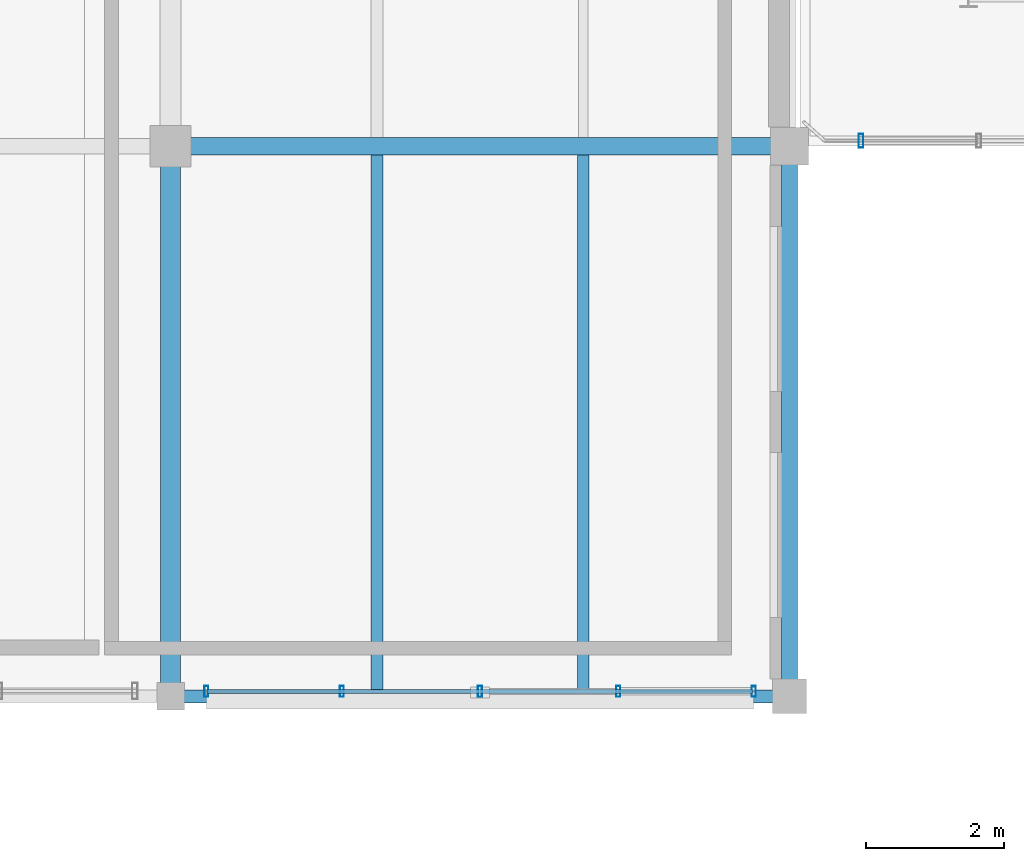
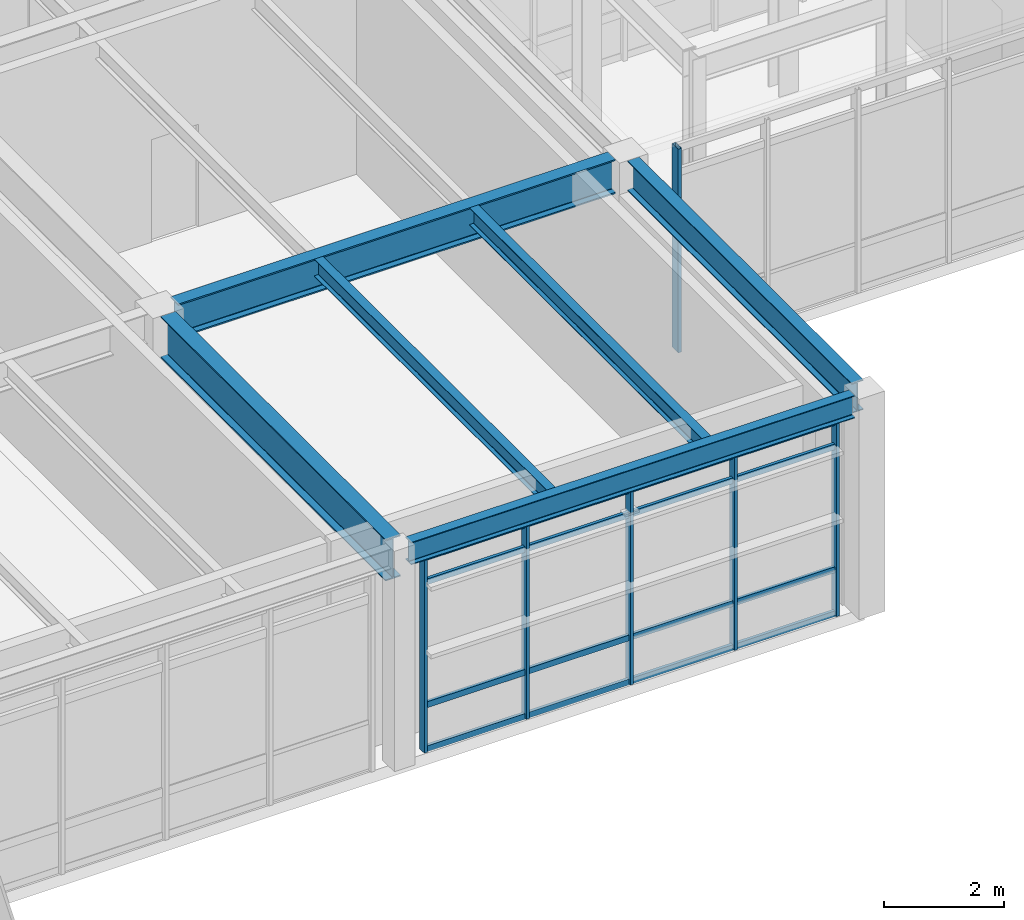
# One storey, part 79 of 200: 10 members, 6 beams, 2 elements without a shape of their own.
"""IFC4 building model written with IfcOpenShell, lengths in metres."""

import ifcopenshell
import ifcopenshell.guid

model = None  # the IFC model being written
_history = None  # IfcOwnerHistory: only IFC2X3 demands one
_inside = {}  # id of a spatial element -> (the spatial element, [elements in it])
_under = {}  # id of a project, library or spatial element -> (it, [spatial elements below it])
_declared = {}  # id of a project -> (the project, [libraries it declares])
_typed = {}  # id of a type object -> (the type object, [elements of that type])
_made_of = {}  # id of a material, layer set ... -> (it, [elements and type objects made of it])


def new_model(schema):
    """Start an empty IFC model of exactly this schema.

    Asked for "IFC4X3", IfcOpenShell would pick the latest addendum, in which some entities
    have other attributes; the version numbers below select the first issue.
    IFC2X3 requires an IfcOwnerHistory on every rooted entity: one is made here for all.
    """
    global model, _history
    if schema == "IFC4X3":
        model = ifcopenshell.file(schema_version=(4, 3, 0, 0))
    else:
        model = ifcopenshell.file(schema=schema)
    _inside.clear()
    _under.clear()
    _declared.clear()
    _typed.clear()
    _made_of.clear()
    _history = None
    if model.schema == "IFC2X3":
        org = make("IfcOrganization", Name="unknown")
        user = make(
            "IfcPersonAndOrganization",
            ThePerson=make("IfcPerson", FamilyName="unknown"),
            TheOrganization=org,
        )
        app = make(
            "IfcApplication",
            ApplicationDeveloper=org,
            Version="unknown",
            ApplicationFullName="unknown",
            ApplicationIdentifier="unknown",
        )
        _history = make(
            "IfcOwnerHistory",
            OwningUser=user,
            OwningApplication=app,
            ChangeAction="ADDED",
            CreationDate=0,
        )
    return model


def make(cls, **values):
    """One entity of the class cls with the attributes given. An attribute that is None is left unset."""
    return model.create_entity(
        cls, **{name: value for name, value in values.items() if value is not None}
    )


def rooted(cls, **values):
    """An entity with a GlobalId (a new one), such as an element, a storey or a relation."""
    return make(cls, GlobalId=ifcopenshell.guid.new(), OwnerHistory=_history, **values)


def si_unit(unit_type, name, prefix=None):
    """IfcSIUnit, for example si_unit("LENGTHUNIT", "METRE", prefix="MILLI")."""
    return make("IfcSIUnit", UnitType=unit_type, Prefix=prefix, Name=name)


def assignment(units):
    """IfcUnitAssignment: the units of a project."""
    return None if units is None else make("IfcUnitAssignment", Units=units)


def point(xyz):
    """IfcCartesianPoint."""
    return None if xyz is None else make("IfcCartesianPoint", Coordinates=xyz)


def direction(xyz):
    """IfcDirection."""
    return None if xyz is None else make("IfcDirection", DirectionRatios=xyz)


def frame(location, z_axis=None, x_axis=None):
    """IfcAxis2Placement3D, a coordinate frame: its origin and axes. An axis left out is left unset."""
    return make(
        "IfcAxis2Placement3D",
        Location=point(location),
        Axis=direction(z_axis),
        RefDirection=direction(x_axis),
    )


def frame_2d(location, x_axis=None):
    """IfcAxis2Placement2D, a coordinate frame in the plane: its origin and x axis."""
    return make(
        "IfcAxis2Placement2D", Location=point(location), RefDirection=direction(x_axis)
    )


def origin():
    """The frame at (0, 0, 0) with its axes left unset."""
    return frame((0.0, 0.0, 0.0))


def origin_2d():
    """The frame at (0, 0) in the plane with its x axis left unset."""
    return frame_2d((0.0, 0.0))


def place(relative_to, where):
    """IfcLocalPlacement: puts the frame where relative to a parent placement (None: the world)."""
    return make(
        "IfcLocalPlacement", PlacementRelTo=relative_to, RelativePlacement=where
    )


def context(
    kind, dimensions, precision=None, world=None, true_north=None, identifier=None
):
    """IfcGeometricRepresentationContext, for example the 3D "Model" context."""
    return make(
        "IfcGeometricRepresentationContext",
        ContextIdentifier=identifier,
        ContextType=kind,
        CoordinateSpaceDimension=dimensions,
        Precision=precision,
        WorldCoordinateSystem=world,
        TrueNorth=true_north,
    )


def subcontext(parent, identifier, kind, view, scale=None):
    """IfcGeometricRepresentationSubContext, for example "Body" below "Model"."""
    return make(
        "IfcGeometricRepresentationSubContext",
        ContextIdentifier=identifier,
        ContextType=kind,
        ParentContext=parent,
        TargetScale=scale,
        TargetView=view,
    )


def project(units=None, contexts=None):
    """IfcProject with its units and contexts."""
    return rooted(
        "IfcProject",
        Name="project",
        RepresentationContexts=contexts,
        UnitsInContext=assignment(units),
    )


def spatial(cls, under=None, at=None, **own):
    """A site, building, storey or space (cls), placed at a placement, below another one or the project."""
    s = rooted(cls, ObjectPlacement=at, **own)
    if under is not None:
        _under.setdefault(under.id(), (under, []))[1].append(s)
    return s


def profile(cls, at=None, kind="AREA", **sizes):
    """A parametric profile (cls). Its sizes go by their IFC names, for example OverallWidth=200.0."""
    return make(cls, ProfileType=kind, Position=at, **sizes)


def hollow_rectangle(**sizes):
    """IfcRectangleHollowProfileDef."""
    return profile("IfcRectangleHollowProfileDef", **sizes)


def i_section(**sizes):
    """IfcIShapeProfileDef."""
    return profile("IfcIShapeProfileDef", **sizes)


def extrude(swept, where, along, depth):
    """IfcExtrudedAreaSolid: the profile swept, set in the frame where, extruded along a direction by depth."""
    return make(
        "IfcExtrudedAreaSolid",
        SweptArea=swept,
        Position=where,
        ExtrudedDirection=direction(along),
        Depth=depth,
    )


def shape(context_of_items, identifier, shape_type, items):
    """IfcShapeRepresentation: the items that make up one representation, for example the "Body"."""
    return make(
        "IfcShapeRepresentation",
        ContextOfItems=context_of_items,
        RepresentationIdentifier=identifier,
        RepresentationType=shape_type,
        Items=items,
    )


def material(Name=None, Category=None):
    """IfcMaterial."""
    return make("IfcMaterial", Name=Name, Category=Category)


def material_profile(
    of_material, cross_section, Name=None, Category=None, Priority=None
):
    """IfcMaterialProfile: a cross section and its material."""
    return make(
        "IfcMaterialProfile",
        Name=Name,
        Material=of_material,
        Profile=cross_section,
        Priority=Priority,
        Category=Category,
    )


def profile_set(profiles, Name=None, composite=None):
    """IfcMaterialProfileSet."""
    return make(
        "IfcMaterialProfileSet",
        Name=Name,
        MaterialProfiles=profiles,
        CompositeProfile=composite,
    )


def made_of(thing, what):
    """Note that an element or type object is made of a material, layer set ...; save() writes the relation."""
    if what is not None:
        _made_of.setdefault(what.id(), (what, []))[1].append(thing)
    return thing


def type_object(cls, material=None, **own):
    """A type object (cls), such as IfcWallType, which elements share."""
    return made_of(rooted(cls, **own), material)


def element(
    cls,
    number,
    at=None,
    inside=None,
    cuts=None,
    type_object=None,
    material=None,
    context=None,
    identifier="Body",
    shape_type=None,
    held_by="IfcProductDefinitionShape",
    body=None,
    shapes=None,
    **own,
):
    """One element of the class cls, such as IfcWall. Its Tag is "e" and its number.

    at: its placement. inside: the storey or other place that contains it. cuts: it is an
    opening in that element (IfcRelVoidsElement). A single representation is given by context,
    identifier, shape_type and body (its items); several are given by shapes. held_by: the class
    of the entity that holds the representations. save() writes the other relations.
    """
    e = rooted(cls, Tag="e%d" % number, ObjectPlacement=at, **own)
    if body is not None:
        shapes = [shape(context, identifier, shape_type, body)]
    if shapes is not None:
        e.Representation = make(held_by, Representations=shapes)
    if inside is not None:
        _inside.setdefault(inside.id(), (inside, []))[1].append(e)
    if cuts is not None:
        rooted(
            "IfcRelVoidsElement", RelatingBuildingElement=cuts, RelatedOpeningElement=e
        )
    if type_object is not None:
        _typed.setdefault(type_object.id(), (type_object, []))[1].append(e)
    return made_of(e, material)


def aggregate(whole, parts):
    """IfcRelAggregates: a whole, such as a stair, and the parts it consists of."""
    return rooted("IfcRelAggregates", RelatingObject=whole, RelatedObjects=parts)


def save(model, path):
    """Write the relations noted so far, then the file.

    IfcRelAggregates (storeys below a building ...), IfcRelContainedInSpatialStructure (elements
    in a storey), IfcRelDefinesByType, IfcRelAssociatesMaterial and IfcRelDeclares: one each for
    every whole, place, type object, material and project.
    """
    for whole, parts in _under.values():
        aggregate(whole, parts)
    for where, things in _inside.values():
        rooted(
            "IfcRelContainedInSpatialStructure",
            RelatedElements=things,
            RelatingStructure=where,
        )
    for kind, things in _typed.values():
        rooted("IfcRelDefinesByType", RelatedObjects=things, RelatingType=kind)
    for what, things in _made_of.values():
        rooted("IfcRelAssociatesMaterial", RelatedObjects=things, RelatingMaterial=what)
    for by, libraries in _declared.values():
        rooted("IfcRelDeclares", RelatingContext=by, RelatedDefinitions=libraries)
    model.write(path)


model = new_model("IFC4")

# Units and contexts
model_context = context("Model", 3, precision=1e-05, world=origin(), true_north=direction((0.0, 1.0)))
body_context = subcontext(model_context, "Body", "Model", "MODEL_VIEW")
ifc_project = project(units=[si_unit("LENGTHUNIT", "METRE"), si_unit("AREAUNIT", "SQUARE_METRE"), si_unit("VOLUMEUNIT", "CUBIC_METRE"), si_unit("PLANEANGLEUNIT", "RADIAN"), si_unit("MASSUNIT", "GRAM", prefix="KILO"), si_unit("THERMODYNAMICTEMPERATUREUNIT", "KELVIN"), si_unit("POWERUNIT", "WATT")], contexts=[model_context])

# Site, building, storey
site_placement = place(None, origin())
site = spatial("IfcSite", under=ifc_project, at=site_placement, CompositionType="ELEMENT")
building_placement = place(site_placement, origin())
building = spatial("IfcBuilding", under=site, at=building_placement, Name="Tepalcoro Natatorium and Aquatics Centre", CompositionType="ELEMENT")
storey_placement = place(building_placement, frame((0.0, 0.0, 5.39990234375)))
storey = spatial("IfcBuildingStorey", under=building, at=storey_placement, Name="L01", CompositionType="ELEMENT", Elevation=5.39990234375)

# Beams
ifc_material_1 = material(Name="Steel ASTM A992 Grade 50 (Fy 345 MPa)", Category="steel")
ifc_material_profile_1 = material_profile(ifc_material_1, i_section(OverallWidth=0.25390625, OverallDepth=0.700927734375, WebThickness=0.014892578125, FlangeThickness=0.028076171875, FilletRadius=0.013916015625, at=origin_2d()), Name="W27X129")
ifc_profile_set_1 = profile_set([ifc_material_profile_1], Name="Steel ASTM A992 Grade 50 (Fy 345 MPa)")
beam_type_1 = type_object("IfcBeamType", Name="BM_W27x129", PredefinedType="BEAM", material=ifc_profile_set_1)
beam_1_placement = place(storey_placement, frame((80.284912109375, 94.0, 4.134521484375), z_axis=(1.0, 0.0, 0.0), x_axis=(0.0, 1.0, 0.0)))
element("IfcBeam", 1, at=beam_1_placement, inside=storey, type_object=beam_type_1, Name="V4 L01 Grid Girder X", PredefinedType="BEAM", context=body_context, shape_type="SweptSolid", body=[
    extrude(i_section(OverallWidth=0.25390625, OverallDepth=0.700927734375, WebThickness=0.014892578125, FlangeThickness=0.028076171875, FilletRadius=0.013916015625, at=origin_2d()), origin(), (0.0, 0.0, 1.0), 8.455078125),
])
ifc_material_profile_2 = material_profile(ifc_material_1, i_section(OverallWidth=0.2919921875, OverallDepth=0.845947265625, WebThickness=0.014892578125, FlangeThickness=0.02392578125, FilletRadius=0.013916015625, at=origin_2d()), Name="W33X141")
ifc_profile_set_2 = profile_set([ifc_material_profile_2], Name="Steel ASTM A992 Grade 50 (Fy 345 MPa)")
beam_type_2 = type_object("IfcBeamType", Name="BM_W33x141", PredefinedType="BEAM", material=ifc_profile_set_2)
beam_2_placement = place(storey_placement, frame((80.0, 86.18505859375, 4.06201171875), z_axis=(0.0, 1.0, 0.0), x_axis=(-1.0, 0.0, 0.0)))
element("IfcBeam", 2, at=beam_2_placement, inside=storey, type_object=beam_type_2, Name="V4 L01 Grid Girder Y", PredefinedType="BEAM", context=body_context, shape_type="SweptSolid", body=[
    extrude(i_section(OverallWidth=0.2919921875, OverallDepth=0.845947265625, WebThickness=0.014892578125, FlangeThickness=0.02392578125, FilletRadius=0.013916015625, at=origin_2d()), origin(), (0.0, 0.0, 1.0), 7.530029296875),
])

# Curtain wall, members
ifc_material_2 = material(Name="Bronze-Anodised Extruded Aluminium Alloy EN AW-6063 T6", Category="aluminium")
curtain_wall_type_1 = type_object("IfcCurtainWallType", Name="CW_LEAN_T2_EW", PredefinedType="USERDEFINED", material=ifc_material_2)
curtain_wall_1_placement = place(storey_placement, origin())
curtain_wall_1 = element("IfcCurtainWall", 3, at=curtain_wall_1_placement, inside=storey, type_object=curtain_wall_type_1, Name="V4 L01 S Unitised Curtain Wall Bay 9", ObjectType="FACETED SOLAR GLAZING", PredefinedType="USERDEFINED")
ifc_material_profile_3 = material_profile(ifc_material_2, hollow_rectangle(XDim=0.06005859375, YDim=0.159912109375, WallThickness=0.00390625, at=origin_2d()), Name="AL60X160X4")
ifc_profile_set_3 = profile_set([ifc_material_profile_3], Name="Bronze-Anodised Extruded Aluminium Alloy EN AW-6063 T6")
member_type_1 = type_object("IfcMemberType", Name="CW_MUL_60x160", PredefinedType="MULLION", material=ifc_profile_set_3)
member_1_placement = place(storey_placement, frame((80.52001953125, 86.0712890625, 0.02001953125), z_axis=(0.0, 0.0, 1.0), x_axis=(1.0, 0.0, 0.0)))
member_1 = element("IfcMember", 4, at=member_1_placement, type_object=member_type_1, Name="CW_LEAN_T2_EW Curtain Wall Mullion", PredefinedType="MULLION", context=body_context, shape_type="SweptSolid", body=[
    extrude(hollow_rectangle(XDim=0.06005859375, YDim=0.159912109375, WallThickness=0.00390625, at=origin_2d()), origin(), (0.0, 0.0, 1.0), 3.969970703125),
])
member_2_placement = place(storey_placement, frame((82.489990234375, 86.0712890625, 0.02001953125), z_axis=(0.0, 0.0, 1.0), x_axis=(1.0, 0.0, 0.0)))
member_2 = element("IfcMember", 5, at=member_2_placement, type_object=member_type_1, Name="CW_LEAN_T2_EW Curtain Wall Mullion", PredefinedType="MULLION", context=body_context, shape_type="SweptSolid", body=[
    extrude(hollow_rectangle(XDim=0.06005859375, YDim=0.159912109375, WallThickness=0.00390625, at=origin_2d()), origin(), (0.0, 0.0, 1.0), 3.969970703125),
])
member_3_placement = place(storey_placement, frame((84.5, 86.0712890625, 0.02001953125), z_axis=(0.0, 0.0, 1.0), x_axis=(1.0, 0.0, 0.0)))
member_3 = element("IfcMember", 6, at=member_3_placement, type_object=member_type_1, Name="CW_LEAN_T2_EW Curtain Wall Mullion", PredefinedType="MULLION", context=body_context, shape_type="SweptSolid", body=[
    extrude(hollow_rectangle(XDim=0.06005859375, YDim=0.159912109375, WallThickness=0.00390625, at=origin_2d()), origin(), (0.0, 0.0, 1.0), 3.969970703125),
])
member_4_placement = place(storey_placement, frame((86.510009765625, 86.0712890625, 0.02001953125), z_axis=(0.0, 0.0, 1.0), x_axis=(1.0, 0.0, 0.0)))
member_4 = element("IfcMember", 7, at=member_4_placement, type_object=member_type_1, Name="CW_LEAN_T2_EW Curtain Wall Mullion", PredefinedType="MULLION", context=body_context, shape_type="SweptSolid", body=[
    extrude(hollow_rectangle(XDim=0.06005859375, YDim=0.159912109375, WallThickness=0.00390625, at=origin_2d()), origin(), (0.0, 0.0, 1.0), 3.969970703125),
])
member_5_placement = place(storey_placement, frame((88.47998046875, 86.0712890625, 0.02001953125), z_axis=(0.0, 0.0, 1.0), x_axis=(1.0, 0.0, 0.0)))
member_5 = element("IfcMember", 8, at=member_5_placement, type_object=member_type_1, Name="CW_LEAN_T2_EW Curtain Wall Mullion", PredefinedType="MULLION", context=body_context, shape_type="SweptSolid", body=[
    extrude(hollow_rectangle(XDim=0.06005859375, YDim=0.159912109375, WallThickness=0.00390625, at=origin_2d()), origin(), (0.0, 0.0, 1.0), 3.969970703125),
])

# Curtain wall, member
curtain_wall_type_2 = type_object("IfcCurtainWallType", Name="CW_LINK_150", PredefinedType="USERDEFINED", material=ifc_material_2)
curtain_wall_2_placement = place(storey_placement, origin())
curtain_wall_2 = element("IfcCurtainWall", 9, at=curtain_wall_2_placement, inside=storey, type_object=curtain_wall_type_2, Name="North Spine Seismic Link Glazed Wall S L01", ObjectType="UNITISED STOREFRONT", PredefinedType="USERDEFINED")
ifc_material_profile_4 = material_profile(ifc_material_2, hollow_rectangle(XDim=0.070068359375, YDim=0.199951171875, WallThickness=0.0048828125, at=origin_2d()), Name="AL70X200X5")
ifc_profile_set_4 = profile_set([ifc_material_profile_4], Name="Bronze-Anodised Extruded Aluminium Alloy EN AW-6063 T6")
member_type_2 = type_object("IfcMemberType", Name="CW_MUL_70x200", PredefinedType="MULLION", material=ifc_profile_set_4)
member_6_placement = place(storey_placement, frame((90.0400390625, 94.080078125, 0.02001953125), z_axis=(0.0, 0.0, 1.0), x_axis=(1.0, 0.0, 0.0)))
member_6 = element("IfcMember", 10, at=member_6_placement, type_object=member_type_2, Name="CW_LINK_150 Curtain Wall Mullion", PredefinedType="MULLION", context=body_context, shape_type="SweptSolid", body=[
    extrude(hollow_rectangle(XDim=0.070068359375, YDim=0.199951171875, WallThickness=0.0048828125, at=origin_2d()), origin(), (0.0, 0.0, 1.0), 4.16015625),
])
aggregate(curtain_wall_2, [member_6])

# Member
ifc_material_profile_5 = material_profile(ifc_material_2, hollow_rectangle(XDim=0.06005859375, YDim=0.1201171875, WallThickness=0.00390625, at=origin_2d()), Name="AL60X120X4")
ifc_profile_set_5 = profile_set([ifc_material_profile_5], Name="Bronze-Anodised Extruded Aluminium Alloy EN AW-6063 T6")
member_type_3 = type_object("IfcMemberType", Name="CW_TRN_60x120", PredefinedType="USERDEFINED", material=ifc_profile_set_5)
member_7_placement = place(storey_placement, frame((80.530029296875, 86.0712890625, 0.050048828125), z_axis=(1.0, 0.0, 0.0), x_axis=(0.0, 1.0, 0.0)))
member_7 = element("IfcMember", 11, at=member_7_placement, type_object=member_type_3, Name="CW_LEAN_T2_EW Curtain Wall Transom", ObjectType="TRANSOM", PredefinedType="USERDEFINED", context=body_context, shape_type="SweptSolid", body=[
    extrude(hollow_rectangle(XDim=0.06005859375, YDim=0.1201171875, WallThickness=0.00390625, at=origin_2d()), origin(), (0.0, 0.0, 1.0), 7.93994140625),
])

member_8_placement = place(storey_placement, frame((80.530029296875, 86.0712890625, 0.9501953125), z_axis=(1.0, 0.0, 0.0), x_axis=(0.0, 1.0, 0.0)))
member_8 = element("IfcMember", 12, at=member_8_placement, type_object=member_type_3, Name="CW_LEAN_T2_EW Curtain Wall Transom", ObjectType="TRANSOM", PredefinedType="USERDEFINED", context=body_context, shape_type="SweptSolid", body=[
    extrude(hollow_rectangle(XDim=0.06005859375, YDim=0.1201171875, WallThickness=0.00390625, at=origin_2d()), origin(), (0.0, 0.0, 1.0), 7.93994140625),
])

member_9_placement = place(storey_placement, frame((80.530029296875, 86.0712890625, 3.460205078125), z_axis=(1.0, 0.0, 0.0), x_axis=(0.0, 1.0, 0.0)))
member_9 = element("IfcMember", 13, at=member_9_placement, type_object=member_type_3, Name="CW_LEAN_T2_EW Curtain Wall Transom", ObjectType="TRANSOM", PredefinedType="USERDEFINED", context=body_context, shape_type="SweptSolid", body=[
    extrude(hollow_rectangle(XDim=0.06005859375, YDim=0.1201171875, WallThickness=0.00390625, at=origin_2d()), origin(), (0.0, 0.0, 1.0), 7.93994140625),
])

member_10_placement = place(storey_placement, frame((80.530029296875, 86.0712890625, 3.960205078125), z_axis=(1.0, 0.0, 0.0), x_axis=(0.0, 1.0, 0.0)))
member_10 = element("IfcMember", 14, at=member_10_placement, type_object=member_type_3, Name="CW_LEAN_T2_EW Curtain Wall Transom", ObjectType="TRANSOM", PredefinedType="USERDEFINED", context=body_context, shape_type="SweptSolid", body=[
    extrude(hollow_rectangle(XDim=0.06005859375, YDim=0.1201171875, WallThickness=0.00390625, at=origin_2d()), origin(), (0.0, 0.0, 1.0), 7.93994140625),
])

aggregate(curtain_wall_1, [member_1, member_2, member_3, member_4, member_5, member_7, member_8, member_9, member_10])

# Beams
ifc_material_profile_6 = material_profile(ifc_material_1, i_section(OverallWidth=0.1708984375, OverallDepth=0.35107421875, WebThickness=0.007080078125, FlangeThickness=0.010009765625, FilletRadius=0.013916015625, at=origin_2d()), Name="W14X30")
ifc_profile_set_6 = profile_set([ifc_material_profile_6], Name="Steel ASTM A992 Grade 50 (Fy 345 MPa)")
beam_type_3 = type_object("IfcBeamType", Name="JS_W14x30", PredefinedType="JOIST", material=ifc_profile_set_6)
beam_3_placement = place(storey_placement, frame((83.0, 86.095458984375, 4.3095703125), z_axis=(0.0, 1.0, 0.0), x_axis=(-1.0, 0.0, 0.0)))
element("IfcBeam", 15, at=beam_3_placement, inside=storey, type_object=beam_type_3, Name="V4 L01 Floor Joist", PredefinedType="JOIST", context=body_context, shape_type="SweptSolid", body=[
    extrude(i_section(OverallWidth=0.1708984375, OverallDepth=0.35107421875, WebThickness=0.007080078125, FlangeThickness=0.010009765625, FilletRadius=0.013916015625, at=origin_2d()), origin(), (0.0, 0.0, 1.0), 7.777587890625),
])
ifc_material_profile_7 = material_profile(ifc_material_1, i_section(OverallWidth=0.172119140625, OverallDepth=0.35791015625, WebThickness=0.008056640625, FlangeThickness=0.012939453125, FilletRadius=0.013916015625, at=origin_2d()), Name="W14X38")
ifc_profile_set_7 = profile_set([ifc_material_profile_7], Name="Steel ASTM A992 Grade 50 (Fy 345 MPa)")
beam_type_4 = type_object("IfcBeamType", Name="JS_W14x38", PredefinedType="JOIST", material=ifc_profile_set_7)
beam_4_placement = place(storey_placement, frame((86.0, 86.095458984375, 4.30615234375), z_axis=(0.0, 1.0, 0.0), x_axis=(-1.0, 0.0, 0.0)))
element("IfcBeam", 16, at=beam_4_placement, inside=storey, type_object=beam_type_4, Name="V4 L01 Floor Joist", PredefinedType="JOIST", context=body_context, shape_type="SweptSolid", body=[
    extrude(i_section(OverallWidth=0.172119140625, OverallDepth=0.35791015625, WebThickness=0.008056640625, FlangeThickness=0.012939453125, FilletRadius=0.013916015625, at=origin_2d()), origin(), (0.0, 0.0, 1.0), 7.777587890625),
])
ifc_material_profile_8 = material_profile(ifc_material_1, i_section(OverallWidth=0.19091796875, OverallDepth=0.4599609375, WebThickness=0.010009765625, FlangeThickness=0.01611328125, FilletRadius=0.013916015625, at=origin_2d()), Name="W18X55")
ifc_profile_set_8 = profile_set([ifc_material_profile_8], Name="Steel ASTM A992 Grade 50 (Fy 345 MPa)")
beam_type_5 = type_object("IfcBeamType", Name="SP_W18x55", PredefinedType="SPANDREL", material=ifc_profile_set_8)
beam_5_placement = place(storey_placement, frame((80.18505859375, 86.0, 4.255126953125), z_axis=(1.0, 0.0, 0.0), x_axis=(0.0, 1.0, 0.0)))
element("IfcBeam", 17, at=beam_5_placement, inside=storey, type_object=beam_type_5, Name="V4 L01 Grid Girder X", PredefinedType="SPANDREL", context=body_context, shape_type="SweptSolid", body=[
    extrude(i_section(OverallWidth=0.19091796875, OverallDepth=0.4599609375, WebThickness=0.010009765625, FlangeThickness=0.01611328125, FilletRadius=0.013916015625, at=origin_2d()), origin(), (0.0, 0.0, 1.0), 8.579833984375),
])
ifc_material_profile_9 = material_profile(ifc_material_1, i_section(OverallWidth=0.22900390625, OverallDepth=0.612060546875, WebThickness=0.011962890625, FlangeThickness=0.02001953125, FilletRadius=0.013916015625, at=origin_2d()), Name="W24X84")
ifc_profile_set_9 = profile_set([ifc_material_profile_9], Name="Steel ASTM A992 Grade 50 (Fy 345 MPa)")
beam_type_6 = type_object("IfcBeamType", Name="SP_W24x84", PredefinedType="SPANDREL", material=ifc_profile_set_9)
beam_6_placement = place(storey_placement, frame((89.0, 86.235107421875, 4.17919921875), z_axis=(0.0, 1.0, 0.0), x_axis=(-1.0, 0.0, 0.0)))
element("IfcBeam", 18, at=beam_6_placement, inside=storey, type_object=beam_type_6, Name="V4 L01 Grid Girder Y", PredefinedType="SPANDREL", context=body_context, shape_type="SweptSolid", body=[
    extrude(i_section(OverallWidth=0.22900390625, OverallDepth=0.612060546875, WebThickness=0.011962890625, FlangeThickness=0.02001953125, FilletRadius=0.013916015625, at=origin_2d()), origin(), (0.0, 0.0, 1.0), 7.5048828125),
])

save(model, "model.ifc")
